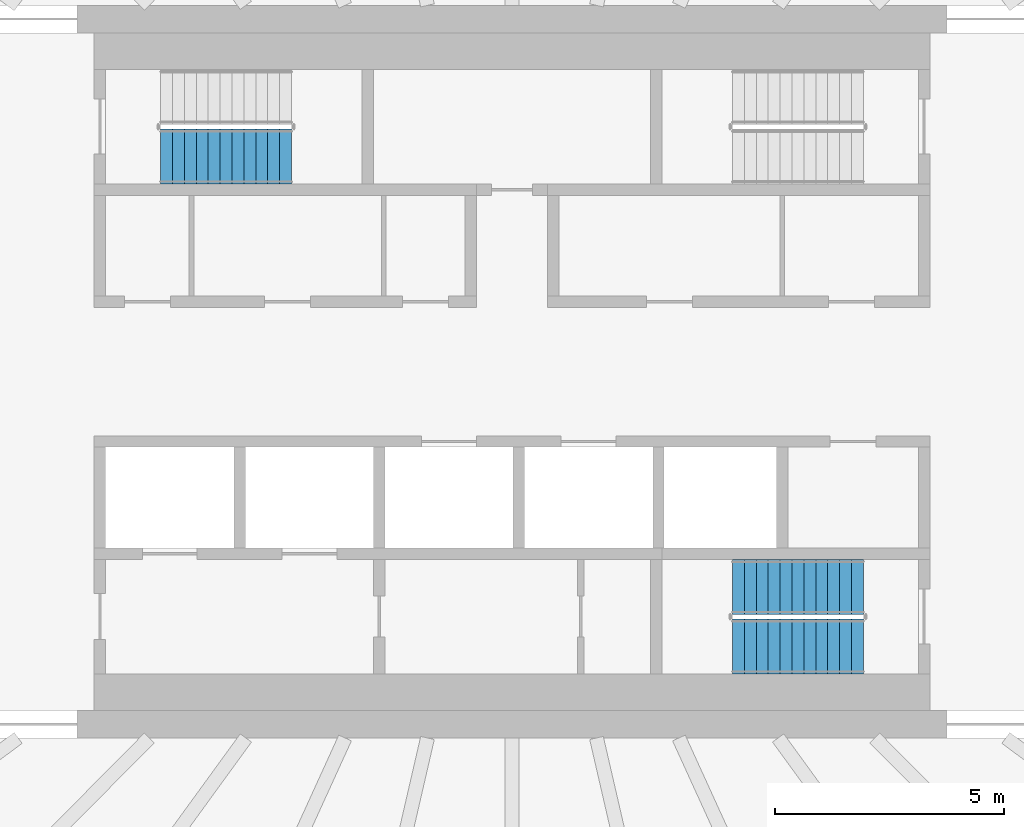
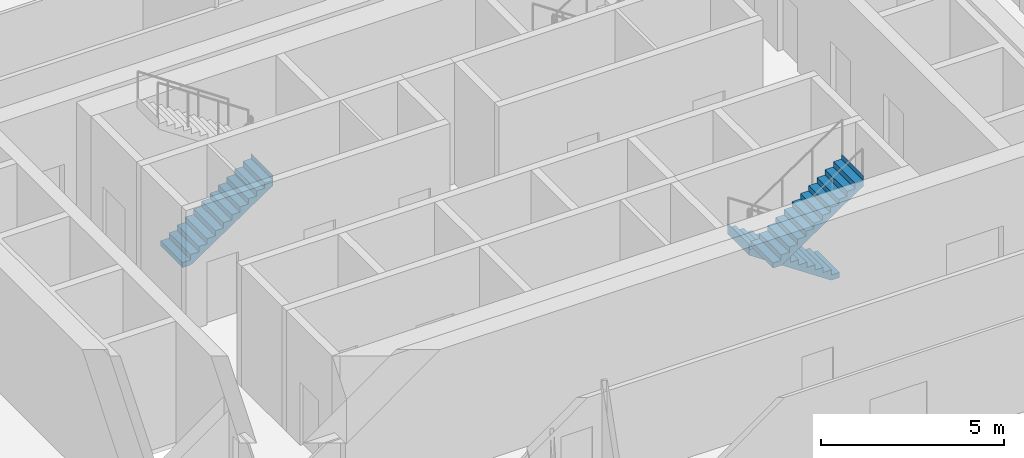
# One storey, part 18 of 25: 3 stair flights, 2 elements without a shape of their own.
"""IFC4 building model written with IfcOpenShell, lengths in metres."""

from ifc_helpers import new_model, si_unit, direction, frame, origin, place, context, subcontext, project, spatial, triangles, material, type_object, element, aggregate, save


model = new_model("IFC4")

# Units and contexts
model_context = context("Model", 3, precision=1e-05, world=origin(), true_north=direction((0.0, 1.0)))
body_context = subcontext(model_context, "Body", "Model", "MODEL_VIEW")
ifc_project = project(units=[si_unit("LENGTHUNIT", "METRE"), si_unit("AREAUNIT", "SQUARE_METRE"), si_unit("VOLUMEUNIT", "CUBIC_METRE"), si_unit("PLANEANGLEUNIT", "RADIAN"), si_unit("MASSUNIT", "GRAM", prefix="KILO")], contexts=[model_context])

# Site, building, storey
site_placement = place(None, origin())
site = spatial("IfcSite", under=ifc_project, at=site_placement, CompositionType="ELEMENT")
building_placement = place(site_placement, origin())
building = spatial("IfcBuilding", under=site, at=building_placement, Name="Sahrelin Media Tower", CompositionType="ELEMENT")
storey_placement = place(building_placement, frame((0.0, 0.0, 114.60009765625)))
storey = spatial("IfcBuildingStorey", under=building, at=storey_placement, Name="L22", CompositionType="ELEMENT", Elevation=114.60009765625)

# Stair, stair flight
ifc_material = material(Name="Concrete C40/50", Category="concrete")
stair_type = type_object("IfcStairType", Name="Exit stair 1200", PredefinedType="HALF_TURN_STAIR", material=ifc_material)
placement = place(storey_placement, origin())
stair_1 = element("IfcStair", 1, at=placement, inside=storey, type_object=stair_type, Name="L22 Exit stair ST1", PredefinedType="HALF_TURN_STAIR")
stair_flight_type = type_object("IfcStairFlightType", Name="Stair flight 1200", PredefinedType="STRAIGHT", material=ifc_material)
stair_flight_1_placement = place(storey_placement, frame((-7.675048828125, 4.699951171875, 0.0), z_axis=(0.0, 0.0, 1.0), x_axis=(1.0, 0.0, 0.0)))
stair_flight_1 = element("IfcStairFlight", 2, at=stair_flight_1_placement, type_object=stair_flight_type, Name="ST1 flight 1", NumberOfRisers=12, NumberOfTreads=11, PredefinedType="STRAIGHT", RiserHeight=0.175, TreadLength=0.26, context=body_context, shape_type="Tessellation", body=[
    triangles([(0.2685546875, 0.60009765625, 0.0), (0.2685546875, 0.300048828125, 0.0), (0.2685546875, 0.0, 0.0), (0.2685546875, -0.300048828125, 0.0), (0.2685546875, -0.60009765625, 0.0), (2.860107421875, 0.60009765625, 1.744384765625), (2.860107421875, 0.300048828125, 1.744384765625), (2.860107421875, 0.0, 1.744384765625), (2.860107421875, -0.300048828125, 1.744384765625), (2.860107421875, -0.60009765625, 1.744384765625), (2.860107421875, 0.60009765625, 2.10009765625), (2.860107421875, 0.300048828125, 2.10009765625), (2.860107421875, 0.0, 2.10009765625), (2.860107421875, -0.300048828125, 2.10009765625), (2.860107421875, -0.60009765625, 2.10009765625), (2.85791015625, 0.60009765625, 2.10009765625), (2.85791015625, 0.300048828125, 2.10009765625), (2.85791015625, 0.0, 2.10009765625), (2.85791015625, -0.300048828125, 2.10009765625), (2.85791015625, -0.60009765625, 2.10009765625), (2.85791015625, 0.60009765625, 1.925048828125), (2.85791015625, 0.300048828125, 1.925048828125), (2.85791015625, 0.0, 1.925048828125), (2.85791015625, -0.300048828125, 1.925048828125), (2.85791015625, -0.60009765625, 1.925048828125), (2.60009765625, 0.60009765625, 1.925048828125), (2.60009765625, 0.300048828125, 1.925048828125), (2.60009765625, 0.0, 1.925048828125), (2.60009765625, -0.300048828125, 1.925048828125), (2.60009765625, -0.60009765625, 1.925048828125), (2.60009765625, 0.60009765625, 1.75), (2.60009765625, 0.300048828125, 1.75), (2.60009765625, 0.0, 1.75), (2.60009765625, -0.300048828125, 1.75), (2.60009765625, -0.60009765625, 1.75), (2.340087890625, 0.60009765625, 1.75), (2.340087890625, 0.300048828125, 1.75), (2.340087890625, 0.0, 1.75), (2.340087890625, -0.300048828125, 1.75), (2.340087890625, -0.60009765625, 1.75), (2.340087890625, 0.60009765625, 1.574951171875), (2.340087890625, 0.300048828125, 1.574951171875), (2.340087890625, 0.0, 1.574951171875), (2.340087890625, -0.300048828125, 1.574951171875), (2.340087890625, -0.60009765625, 1.574951171875), (2.080078125, 0.60009765625, 1.574951171875), (2.080078125, 0.300048828125, 1.574951171875), (2.080078125, 0.0, 1.574951171875), (2.080078125, -0.300048828125, 1.574951171875), (2.080078125, -0.60009765625, 1.574951171875), (2.080078125, 0.60009765625, 1.39990234375), (2.080078125, 0.300048828125, 1.39990234375), (2.080078125, 0.0, 1.39990234375), (2.080078125, -0.300048828125, 1.39990234375), (2.080078125, -0.60009765625, 1.39990234375), (1.820068359375, 0.60009765625, 1.39990234375), (1.820068359375, 0.300048828125, 1.39990234375), (1.820068359375, 0.0, 1.39990234375), (1.820068359375, -0.300048828125, 1.39990234375), (1.820068359375, -0.60009765625, 1.39990234375), (1.820068359375, 0.60009765625, 1.22509765625), (1.820068359375, 0.300048828125, 1.22509765625), (1.820068359375, 0.0, 1.22509765625), (1.820068359375, -0.300048828125, 1.22509765625), (1.820068359375, -0.60009765625, 1.22509765625), (1.56005859375, 0.60009765625, 1.22509765625), (1.56005859375, 0.300048828125, 1.22509765625), (1.56005859375, 0.0, 1.22509765625), (1.56005859375, -0.300048828125, 1.22509765625), (1.56005859375, -0.60009765625, 1.22509765625), (1.56005859375, 0.60009765625, 1.050048828125), (1.56005859375, 0.300048828125, 1.050048828125), (1.56005859375, 0.0, 1.050048828125), (1.56005859375, -0.300048828125, 1.050048828125), (1.56005859375, -0.60009765625, 1.050048828125), (1.300048828125, 0.60009765625, 1.050048828125), (1.300048828125, 0.300048828125, 1.050048828125), (1.300048828125, 0.0, 1.050048828125), (1.300048828125, -0.300048828125, 1.050048828125), (1.300048828125, -0.60009765625, 1.050048828125), (1.300048828125, 0.60009765625, 0.875), (1.300048828125, 0.300048828125, 0.875), (1.300048828125, 0.0, 0.875), (1.300048828125, -0.300048828125, 0.875), (1.300048828125, -0.60009765625, 0.875), (1.0400390625, 0.60009765625, 0.875), (1.0400390625, 0.300048828125, 0.875), (1.0400390625, 0.0, 0.875), (1.0400390625, -0.300048828125, 0.875), (1.0400390625, -0.60009765625, 0.875), (1.0400390625, 0.60009765625, 0.699951171875), (1.0400390625, 0.300048828125, 0.699951171875), (1.0400390625, 0.0, 0.699951171875), (1.0400390625, -0.300048828125, 0.699951171875), (1.0400390625, -0.60009765625, 0.699951171875), (0.780029296875, 0.60009765625, 0.699951171875), (0.780029296875, 0.300048828125, 0.699951171875), (0.780029296875, 0.0, 0.699951171875), (0.780029296875, -0.300048828125, 0.699951171875), (0.780029296875, -0.60009765625, 0.699951171875), (0.780029296875, 0.60009765625, 0.52490234375), (0.780029296875, 0.300048828125, 0.52490234375), (0.780029296875, 0.0, 0.52490234375), (0.780029296875, -0.300048828125, 0.52490234375), (0.780029296875, -0.60009765625, 0.52490234375), (0.52001953125, 0.60009765625, 0.52490234375), (0.52001953125, 0.300048828125, 0.52490234375), (0.52001953125, 0.0, 0.52490234375), (0.52001953125, -0.300048828125, 0.52490234375), (0.52001953125, -0.60009765625, 0.52490234375), (0.52001953125, 0.60009765625, 0.35009765625), (0.52001953125, 0.300048828125, 0.35009765625), (0.52001953125, 0.0, 0.35009765625), (0.52001953125, -0.300048828125, 0.35009765625), (0.52001953125, -0.60009765625, 0.35009765625), (0.260009765625, 0.60009765625, 0.35009765625), (0.260009765625, 0.300048828125, 0.35009765625), (0.260009765625, 0.0, 0.35009765625), (0.260009765625, -0.300048828125, 0.35009765625), (0.260009765625, -0.60009765625, 0.35009765625), (0.260009765625, 0.60009765625, 0.175048828125), (0.260009765625, 0.300048828125, 0.175048828125), (0.260009765625, 0.0, 0.175048828125), (0.260009765625, -0.300048828125, 0.175048828125), (0.260009765625, -0.60009765625, 0.175048828125), (0.0, 0.60009765625, 0.175048828125), (0.0, 0.300048828125, 0.175048828125), (0.0, 0.0, 0.175048828125), (0.0, -0.300048828125, 0.175048828125), (0.0, -0.60009765625, 0.175048828125), (0.0, 0.60009765625, 0.0), (0.0, 0.300048828125, 0.0), (0.0, 0.0, 0.0), (0.0, -0.300048828125, 0.0), (0.0, -0.60009765625, 0.0)], [[1, 6, 7], [1, 7, 2], [2, 7, 8], [2, 8, 3], [3, 8, 9], [3, 9, 4], [4, 9, 10], [4, 10, 5], [6, 11, 12], [6, 12, 7], [7, 12, 13], [7, 13, 8], [8, 13, 14], [8, 14, 9], [9, 14, 15], [9, 15, 10], [11, 16, 17], [11, 17, 12], [12, 17, 18], [12, 18, 13], [13, 18, 19], [13, 19, 14], [14, 19, 20], [14, 20, 15], [16, 21, 22], [16, 22, 17], [17, 22, 23], [17, 23, 18], [18, 23, 24], [18, 24, 19], [19, 24, 25], [19, 25, 20], [21, 26, 27], [21, 27, 22], [22, 27, 28], [22, 28, 23], [23, 28, 29], [23, 29, 24], [24, 29, 30], [24, 30, 25], [26, 31, 32], [26, 32, 27], [27, 32, 33], [27, 33, 28], [28, 33, 34], [28, 34, 29], [29, 34, 35], [29, 35, 30], [31, 36, 37], [31, 37, 32], [32, 37, 38], [32, 38, 33], [33, 38, 39], [33, 39, 34], [34, 39, 40], [34, 40, 35], [36, 41, 42], [36, 42, 37], [37, 42, 43], [37, 43, 38], [38, 43, 44], [38, 44, 39], [39, 44, 45], [39, 45, 40], [41, 46, 47], [41, 47, 42], [42, 47, 48], [42, 48, 43], [43, 48, 49], [43, 49, 44], [44, 49, 50], [44, 50, 45], [46, 51, 52], [46, 52, 47], [47, 52, 53], [47, 53, 48], [48, 53, 54], [48, 54, 49], [49, 54, 55], [49, 55, 50], [51, 56, 57], [51, 57, 52], [52, 57, 58], [52, 58, 53], [53, 58, 59], [53, 59, 54], [54, 59, 60], [54, 60, 55], [56, 61, 62], [56, 62, 57], [57, 62, 63], [57, 63, 58], [58, 63, 64], [58, 64, 59], [59, 64, 65], [59, 65, 60], [61, 66, 67], [61, 67, 62], [62, 67, 68], [62, 68, 63], [63, 68, 69], [63, 69, 64], [64, 69, 70], [64, 70, 65], [66, 71, 72], [66, 72, 67], [67, 72, 73], [67, 73, 68], [68, 73, 74], [68, 74, 69], [69, 74, 75], [69, 75, 70], [71, 76, 77], [71, 77, 72], [72, 77, 78], [72, 78, 73], [73, 78, 79], [73, 79, 74], [74, 79, 80], [74, 80, 75], [76, 81, 82], [76, 82, 77], [77, 82, 83], [77, 83, 78], [78, 83, 84], [78, 84, 79], [79, 84, 85], [79, 85, 80], [81, 86, 87], [81, 87, 82], [82, 87, 88], [82, 88, 83], [83, 88, 89], [83, 89, 84], [84, 89, 90], [84, 90, 85], [86, 91, 92], [86, 92, 87], [87, 92, 93], [87, 93, 88], [88, 93, 94], [88, 94, 89], [89, 94, 95], [89, 95, 90], [91, 96, 97], [91, 97, 92], [92, 97, 98], [92, 98, 93], [93, 98, 99], [93, 99, 94], [94, 99, 100], [94, 100, 95], [96, 101, 102], [96, 102, 97], [97, 102, 103], [97, 103, 98], [98, 103, 104], [98, 104, 99], [99, 104, 105], [99, 105, 100], [101, 106, 107], [101, 107, 102], [102, 107, 108], [102, 108, 103], [103, 108, 109], [103, 109, 104], [104, 109, 110], [104, 110, 105], [106, 111, 112], [106, 112, 107], [107, 112, 113], [107, 113, 108], [108, 113, 114], [108, 114, 109], [109, 114, 115], [109, 115, 110], [111, 116, 117], [111, 117, 112], [112, 117, 118], [112, 118, 113], [113, 118, 119], [113, 119, 114], [114, 119, 120], [114, 120, 115], [116, 121, 122], [116, 122, 117], [117, 122, 123], [117, 123, 118], [118, 123, 124], [118, 124, 119], [119, 124, 125], [119, 125, 120], [121, 126, 127], [121, 127, 122], [122, 127, 128], [122, 128, 123], [123, 128, 129], [123, 129, 124], [124, 129, 130], [124, 130, 125], [126, 131, 132], [126, 132, 127], [127, 132, 133], [127, 133, 128], [128, 133, 134], [128, 134, 129], [129, 134, 135], [129, 135, 130], [131, 1, 2], [131, 2, 132], [132, 2, 3], [132, 3, 133], [133, 3, 4], [133, 4, 134], [134, 4, 5], [134, 5, 135], [125, 130, 135], [121, 131, 126], [125, 115, 120], [121, 116, 111], [115, 105, 110], [111, 106, 101], [105, 95, 100], [101, 96, 91], [95, 85, 90], [91, 86, 81], [85, 75, 80], [81, 76, 71], [75, 65, 70], [71, 66, 61], [65, 55, 60], [61, 56, 51], [55, 45, 50], [51, 46, 41], [45, 35, 40], [41, 36, 31], [35, 25, 30], [31, 26, 21], [25, 15, 20], [21, 16, 11], [135, 5, 125], [131, 121, 1], [95, 105, 5], [91, 1, 101], [5, 10, 75], [1, 71, 6], [10, 35, 45], [6, 41, 31], [25, 10, 15], [21, 11, 6], [115, 125, 5], [111, 1, 121], [75, 85, 5], [71, 1, 81], [35, 10, 25], [31, 21, 6], [105, 115, 5], [101, 1, 111], [45, 55, 10], [41, 6, 51], [85, 95, 5], [81, 1, 91], [65, 10, 55], [61, 51, 6], [10, 65, 75], [6, 71, 61]], closed=True),
])
aggregate(stair_1, [stair_flight_1])

# Stair, stair flights
stair_2 = element("IfcStair", 3, at=placement, inside=storey, type_object=stair_type, Name="L22 Exit stair ST2", PredefinedType="HALF_TURN_STAIR")
stair_flight_2_placement = place(storey_placement, frame((7.675048828125, -4.699951171875, 0.0), z_axis=(0.0, 0.0, 1.0), x_axis=(-1.0, 0.0, 0.0)))
stair_flight_2 = element("IfcStairFlight", 4, at=stair_flight_2_placement, type_object=stair_flight_type, Name="ST2 flight 1", NumberOfRisers=12, NumberOfTreads=11, PredefinedType="STRAIGHT", RiserHeight=0.175, TreadLength=0.26, context=body_context, shape_type="Tessellation", body=[
    triangles([(0.2685546875, 0.60009765625, 0.0), (0.2685546875, 0.300048828125, 0.0), (0.2685546875, 0.0, 0.0), (0.2685546875, -0.300048828125, 0.0), (0.2685546875, -0.60009765625, 0.0), (2.860107421875, 0.60009765625, 1.744384765625), (2.860107421875, 0.300048828125, 1.744384765625), (2.860107421875, 0.0, 1.744384765625), (2.860107421875, -0.300048828125, 1.744384765625), (2.860107421875, -0.60009765625, 1.744384765625), (2.860107421875, 0.60009765625, 2.10009765625), (2.860107421875, 0.300048828125, 2.10009765625), (2.860107421875, 0.0, 2.10009765625), (2.860107421875, -0.300048828125, 2.10009765625), (2.860107421875, -0.60009765625, 2.10009765625), (2.85791015625, 0.60009765625, 2.10009765625), (2.85791015625, 0.300048828125, 2.10009765625), (2.85791015625, 0.0, 2.10009765625), (2.85791015625, -0.300048828125, 2.10009765625), (2.85791015625, -0.60009765625, 2.10009765625), (2.85791015625, 0.60009765625, 1.925048828125), (2.85791015625, 0.300048828125, 1.925048828125), (2.85791015625, 0.0, 1.925048828125), (2.85791015625, -0.300048828125, 1.925048828125), (2.85791015625, -0.60009765625, 1.925048828125), (2.60009765625, 0.60009765625, 1.925048828125), (2.60009765625, 0.300048828125, 1.925048828125), (2.60009765625, 0.0, 1.925048828125), (2.60009765625, -0.300048828125, 1.925048828125), (2.60009765625, -0.60009765625, 1.925048828125), (2.60009765625, 0.60009765625, 1.75), (2.60009765625, 0.300048828125, 1.75), (2.60009765625, 0.0, 1.75), (2.60009765625, -0.300048828125, 1.75), (2.60009765625, -0.60009765625, 1.75), (2.340087890625, 0.60009765625, 1.75), (2.340087890625, 0.300048828125, 1.75), (2.340087890625, 0.0, 1.75), (2.340087890625, -0.300048828125, 1.75), (2.340087890625, -0.60009765625, 1.75), (2.340087890625, 0.60009765625, 1.574951171875), (2.340087890625, 0.300048828125, 1.574951171875), (2.340087890625, 0.0, 1.574951171875), (2.340087890625, -0.300048828125, 1.574951171875), (2.340087890625, -0.60009765625, 1.574951171875), (2.080078125, 0.60009765625, 1.574951171875), (2.080078125, 0.300048828125, 1.574951171875), (2.080078125, 0.0, 1.574951171875), (2.080078125, -0.300048828125, 1.574951171875), (2.080078125, -0.60009765625, 1.574951171875), (2.080078125, 0.60009765625, 1.39990234375), (2.080078125, 0.300048828125, 1.39990234375), (2.080078125, 0.0, 1.39990234375), (2.080078125, -0.300048828125, 1.39990234375), (2.080078125, -0.60009765625, 1.39990234375), (1.820068359375, 0.60009765625, 1.39990234375), (1.820068359375, 0.300048828125, 1.39990234375), (1.820068359375, 0.0, 1.39990234375), (1.820068359375, -0.300048828125, 1.39990234375), (1.820068359375, -0.60009765625, 1.39990234375), (1.820068359375, 0.60009765625, 1.22509765625), (1.820068359375, 0.300048828125, 1.22509765625), (1.820068359375, 0.0, 1.22509765625), (1.820068359375, -0.300048828125, 1.22509765625), (1.820068359375, -0.60009765625, 1.22509765625), (1.56005859375, 0.60009765625, 1.22509765625), (1.56005859375, 0.300048828125, 1.22509765625), (1.56005859375, 0.0, 1.22509765625), (1.56005859375, -0.300048828125, 1.22509765625), (1.56005859375, -0.60009765625, 1.22509765625), (1.56005859375, 0.60009765625, 1.050048828125), (1.56005859375, 0.300048828125, 1.050048828125), (1.56005859375, 0.0, 1.050048828125), (1.56005859375, -0.300048828125, 1.050048828125), (1.56005859375, -0.60009765625, 1.050048828125), (1.300048828125, 0.60009765625, 1.050048828125), (1.300048828125, 0.300048828125, 1.050048828125), (1.300048828125, 0.0, 1.050048828125), (1.300048828125, -0.300048828125, 1.050048828125), (1.300048828125, -0.60009765625, 1.050048828125), (1.300048828125, 0.60009765625, 0.875), (1.300048828125, 0.300048828125, 0.875), (1.300048828125, 0.0, 0.875), (1.300048828125, -0.300048828125, 0.875), (1.300048828125, -0.60009765625, 0.875), (1.0400390625, 0.60009765625, 0.875), (1.0400390625, 0.300048828125, 0.875), (1.0400390625, 0.0, 0.875), (1.0400390625, -0.300048828125, 0.875), (1.0400390625, -0.60009765625, 0.875), (1.0400390625, 0.60009765625, 0.699951171875), (1.0400390625, 0.300048828125, 0.699951171875), (1.0400390625, 0.0, 0.699951171875), (1.0400390625, -0.300048828125, 0.699951171875), (1.0400390625, -0.60009765625, 0.699951171875), (0.780029296875, 0.60009765625, 0.699951171875), (0.780029296875, 0.300048828125, 0.699951171875), (0.780029296875, 0.0, 0.699951171875), (0.780029296875, -0.300048828125, 0.699951171875), (0.780029296875, -0.60009765625, 0.699951171875), (0.780029296875, 0.60009765625, 0.52490234375), (0.780029296875, 0.300048828125, 0.52490234375), (0.780029296875, 0.0, 0.52490234375), (0.780029296875, -0.300048828125, 0.52490234375), (0.780029296875, -0.60009765625, 0.52490234375), (0.52001953125, 0.60009765625, 0.52490234375), (0.52001953125, 0.300048828125, 0.52490234375), (0.52001953125, 0.0, 0.52490234375), (0.52001953125, -0.300048828125, 0.52490234375), (0.52001953125, -0.60009765625, 0.52490234375), (0.52001953125, 0.60009765625, 0.35009765625), (0.52001953125, 0.300048828125, 0.35009765625), (0.52001953125, 0.0, 0.35009765625), (0.52001953125, -0.300048828125, 0.35009765625), (0.52001953125, -0.60009765625, 0.35009765625), (0.260009765625, 0.60009765625, 0.35009765625), (0.260009765625, 0.300048828125, 0.35009765625), (0.260009765625, 0.0, 0.35009765625), (0.260009765625, -0.300048828125, 0.35009765625), (0.260009765625, -0.60009765625, 0.35009765625), (0.260009765625, 0.60009765625, 0.175048828125), (0.260009765625, 0.300048828125, 0.175048828125), (0.260009765625, 0.0, 0.175048828125), (0.260009765625, -0.300048828125, 0.175048828125), (0.260009765625, -0.60009765625, 0.175048828125), (0.0, 0.60009765625, 0.175048828125), (0.0, 0.300048828125, 0.175048828125), (0.0, 0.0, 0.175048828125), (0.0, -0.300048828125, 0.175048828125), (0.0, -0.60009765625, 0.175048828125), (0.0, 0.60009765625, 0.0), (0.0, 0.300048828125, 0.0), (0.0, 0.0, 0.0), (0.0, -0.300048828125, 0.0), (0.0, -0.60009765625, 0.0)], [[1, 6, 7], [1, 7, 2], [2, 7, 8], [2, 8, 3], [3, 8, 9], [3, 9, 4], [4, 9, 10], [4, 10, 5], [6, 11, 12], [6, 12, 7], [7, 12, 13], [7, 13, 8], [8, 13, 14], [8, 14, 9], [9, 14, 15], [9, 15, 10], [11, 16, 17], [11, 17, 12], [12, 17, 18], [12, 18, 13], [13, 18, 19], [13, 19, 14], [14, 19, 20], [14, 20, 15], [16, 21, 22], [16, 22, 17], [17, 22, 23], [17, 23, 18], [18, 23, 24], [18, 24, 19], [19, 24, 25], [19, 25, 20], [21, 26, 27], [21, 27, 22], [22, 27, 28], [22, 28, 23], [23, 28, 29], [23, 29, 24], [24, 29, 30], [24, 30, 25], [26, 31, 32], [26, 32, 27], [27, 32, 33], [27, 33, 28], [28, 33, 34], [28, 34, 29], [29, 34, 35], [29, 35, 30], [31, 36, 37], [31, 37, 32], [32, 37, 38], [32, 38, 33], [33, 38, 39], [33, 39, 34], [34, 39, 40], [34, 40, 35], [36, 41, 42], [36, 42, 37], [37, 42, 43], [37, 43, 38], [38, 43, 44], [38, 44, 39], [39, 44, 45], [39, 45, 40], [41, 46, 47], [41, 47, 42], [42, 47, 48], [42, 48, 43], [43, 48, 49], [43, 49, 44], [44, 49, 50], [44, 50, 45], [46, 51, 52], [46, 52, 47], [47, 52, 53], [47, 53, 48], [48, 53, 54], [48, 54, 49], [49, 54, 55], [49, 55, 50], [51, 56, 57], [51, 57, 52], [52, 57, 58], [52, 58, 53], [53, 58, 59], [53, 59, 54], [54, 59, 60], [54, 60, 55], [56, 61, 62], [56, 62, 57], [57, 62, 63], [57, 63, 58], [58, 63, 64], [58, 64, 59], [59, 64, 65], [59, 65, 60], [61, 66, 67], [61, 67, 62], [62, 67, 68], [62, 68, 63], [63, 68, 69], [63, 69, 64], [64, 69, 70], [64, 70, 65], [66, 71, 72], [66, 72, 67], [67, 72, 73], [67, 73, 68], [68, 73, 74], [68, 74, 69], [69, 74, 75], [69, 75, 70], [71, 76, 77], [71, 77, 72], [72, 77, 78], [72, 78, 73], [73, 78, 79], [73, 79, 74], [74, 79, 80], [74, 80, 75], [76, 81, 82], [76, 82, 77], [77, 82, 83], [77, 83, 78], [78, 83, 84], [78, 84, 79], [79, 84, 85], [79, 85, 80], [81, 86, 87], [81, 87, 82], [82, 87, 88], [82, 88, 83], [83, 88, 89], [83, 89, 84], [84, 89, 90], [84, 90, 85], [86, 91, 92], [86, 92, 87], [87, 92, 93], [87, 93, 88], [88, 93, 94], [88, 94, 89], [89, 94, 95], [89, 95, 90], [91, 96, 97], [91, 97, 92], [92, 97, 98], [92, 98, 93], [93, 98, 99], [93, 99, 94], [94, 99, 100], [94, 100, 95], [96, 101, 102], [96, 102, 97], [97, 102, 103], [97, 103, 98], [98, 103, 104], [98, 104, 99], [99, 104, 105], [99, 105, 100], [101, 106, 107], [101, 107, 102], [102, 107, 108], [102, 108, 103], [103, 108, 109], [103, 109, 104], [104, 109, 110], [104, 110, 105], [106, 111, 112], [106, 112, 107], [107, 112, 113], [107, 113, 108], [108, 113, 114], [108, 114, 109], [109, 114, 115], [109, 115, 110], [111, 116, 117], [111, 117, 112], [112, 117, 118], [112, 118, 113], [113, 118, 119], [113, 119, 114], [114, 119, 120], [114, 120, 115], [116, 121, 122], [116, 122, 117], [117, 122, 123], [117, 123, 118], [118, 123, 124], [118, 124, 119], [119, 124, 125], [119, 125, 120], [121, 126, 127], [121, 127, 122], [122, 127, 128], [122, 128, 123], [123, 128, 129], [123, 129, 124], [124, 129, 130], [124, 130, 125], [126, 131, 132], [126, 132, 127], [127, 132, 133], [127, 133, 128], [128, 133, 134], [128, 134, 129], [129, 134, 135], [129, 135, 130], [131, 1, 2], [131, 2, 132], [132, 2, 3], [132, 3, 133], [133, 3, 4], [133, 4, 134], [134, 4, 5], [134, 5, 135], [125, 130, 135], [121, 131, 126], [125, 115, 120], [121, 116, 111], [115, 105, 110], [111, 106, 101], [105, 95, 100], [101, 96, 91], [95, 85, 90], [91, 86, 81], [85, 75, 80], [81, 76, 71], [75, 65, 70], [71, 66, 61], [65, 55, 60], [61, 56, 51], [55, 45, 50], [51, 46, 41], [45, 35, 40], [41, 36, 31], [35, 25, 30], [31, 26, 21], [25, 15, 20], [21, 16, 11], [135, 5, 125], [131, 121, 1], [95, 105, 5], [91, 1, 101], [5, 10, 75], [1, 71, 6], [10, 35, 45], [6, 41, 31], [25, 10, 15], [21, 11, 6], [115, 125, 5], [111, 1, 121], [75, 85, 5], [71, 1, 81], [35, 10, 25], [31, 21, 6], [105, 115, 5], [101, 1, 111], [45, 55, 10], [41, 6, 51], [85, 95, 5], [81, 1, 91], [65, 10, 55], [61, 51, 6], [10, 65, 75], [6, 71, 61]], closed=True),
])
stair_flight_3_placement = place(storey_placement, frame((4.81494140625, -6.0, 2.099853515625), z_axis=(0.0, 0.0, 1.0), x_axis=(1.0, 0.0, 0.0)))
stair_flight_3 = element("IfcStairFlight", 5, at=stair_flight_3_placement, type_object=stair_flight_type, Name="ST2 flight 2", NumberOfRisers=12, NumberOfTreads=11, PredefinedType="STRAIGHT", RiserHeight=0.175, TreadLength=0.26, context=body_context, shape_type="Tessellation", body=[
    triangles([(0.2685546875, 0.60009765625, 0.0), (0.2685546875, 0.300048828125, 0.0), (0.2685546875, 0.0, 0.0), (0.2685546875, -0.300048828125, 0.0), (0.2685546875, -0.60009765625, 0.0), (2.860107421875, 0.60009765625, 1.744384765625), (2.860107421875, 0.300048828125, 1.744384765625), (2.860107421875, 0.0, 1.744384765625), (2.860107421875, -0.300048828125, 1.744384765625), (2.860107421875, -0.60009765625, 1.744384765625), (2.860107421875, 0.60009765625, 2.10009765625), (2.860107421875, 0.300048828125, 2.10009765625), (2.860107421875, 0.0, 2.10009765625), (2.860107421875, -0.300048828125, 2.10009765625), (2.860107421875, -0.60009765625, 2.10009765625), (2.85791015625, 0.60009765625, 2.10009765625), (2.85791015625, 0.300048828125, 2.10009765625), (2.85791015625, 0.0, 2.10009765625), (2.85791015625, -0.300048828125, 2.10009765625), (2.85791015625, -0.60009765625, 2.10009765625), (2.85791015625, 0.60009765625, 1.925048828125), (2.85791015625, 0.300048828125, 1.925048828125), (2.85791015625, 0.0, 1.925048828125), (2.85791015625, -0.300048828125, 1.925048828125), (2.85791015625, -0.60009765625, 1.925048828125), (2.60009765625, 0.60009765625, 1.925048828125), (2.60009765625, 0.300048828125, 1.925048828125), (2.60009765625, 0.0, 1.925048828125), (2.60009765625, -0.300048828125, 1.925048828125), (2.60009765625, -0.60009765625, 1.925048828125), (2.60009765625, 0.60009765625, 1.75), (2.60009765625, 0.300048828125, 1.75), (2.60009765625, 0.0, 1.75), (2.60009765625, -0.300048828125, 1.75), (2.60009765625, -0.60009765625, 1.75), (2.340087890625, 0.60009765625, 1.75), (2.340087890625, 0.300048828125, 1.75), (2.340087890625, 0.0, 1.75), (2.340087890625, -0.300048828125, 1.75), (2.340087890625, -0.60009765625, 1.75), (2.340087890625, 0.60009765625, 1.574951171875), (2.340087890625, 0.300048828125, 1.574951171875), (2.340087890625, 0.0, 1.574951171875), (2.340087890625, -0.300048828125, 1.574951171875), (2.340087890625, -0.60009765625, 1.574951171875), (2.080078125, 0.60009765625, 1.574951171875), (2.080078125, 0.300048828125, 1.574951171875), (2.080078125, 0.0, 1.574951171875), (2.080078125, -0.300048828125, 1.574951171875), (2.080078125, -0.60009765625, 1.574951171875), (2.080078125, 0.60009765625, 1.39990234375), (2.080078125, 0.300048828125, 1.39990234375), (2.080078125, 0.0, 1.39990234375), (2.080078125, -0.300048828125, 1.39990234375), (2.080078125, -0.60009765625, 1.39990234375), (1.820068359375, 0.60009765625, 1.39990234375), (1.820068359375, 0.300048828125, 1.39990234375), (1.820068359375, 0.0, 1.39990234375), (1.820068359375, -0.300048828125, 1.39990234375), (1.820068359375, -0.60009765625, 1.39990234375), (1.820068359375, 0.60009765625, 1.22509765625), (1.820068359375, 0.300048828125, 1.22509765625), (1.820068359375, 0.0, 1.22509765625), (1.820068359375, -0.300048828125, 1.22509765625), (1.820068359375, -0.60009765625, 1.22509765625), (1.56005859375, 0.60009765625, 1.22509765625), (1.56005859375, 0.300048828125, 1.22509765625), (1.56005859375, 0.0, 1.22509765625), (1.56005859375, -0.300048828125, 1.22509765625), (1.56005859375, -0.60009765625, 1.22509765625), (1.56005859375, 0.60009765625, 1.050048828125), (1.56005859375, 0.300048828125, 1.050048828125), (1.56005859375, 0.0, 1.050048828125), (1.56005859375, -0.300048828125, 1.050048828125), (1.56005859375, -0.60009765625, 1.050048828125), (1.300048828125, 0.60009765625, 1.050048828125), (1.300048828125, 0.300048828125, 1.050048828125), (1.300048828125, 0.0, 1.050048828125), (1.300048828125, -0.300048828125, 1.050048828125), (1.300048828125, -0.60009765625, 1.050048828125), (1.300048828125, 0.60009765625, 0.875), (1.300048828125, 0.300048828125, 0.875), (1.300048828125, 0.0, 0.875), (1.300048828125, -0.300048828125, 0.875), (1.300048828125, -0.60009765625, 0.875), (1.0400390625, 0.60009765625, 0.875), (1.0400390625, 0.300048828125, 0.875), (1.0400390625, 0.0, 0.875), (1.0400390625, -0.300048828125, 0.875), (1.0400390625, -0.60009765625, 0.875), (1.0400390625, 0.60009765625, 0.699951171875), (1.0400390625, 0.300048828125, 0.699951171875), (1.0400390625, 0.0, 0.699951171875), (1.0400390625, -0.300048828125, 0.699951171875), (1.0400390625, -0.60009765625, 0.699951171875), (0.780029296875, 0.60009765625, 0.699951171875), (0.780029296875, 0.300048828125, 0.699951171875), (0.780029296875, 0.0, 0.699951171875), (0.780029296875, -0.300048828125, 0.699951171875), (0.780029296875, -0.60009765625, 0.699951171875), (0.780029296875, 0.60009765625, 0.52490234375), (0.780029296875, 0.300048828125, 0.52490234375), (0.780029296875, 0.0, 0.52490234375), (0.780029296875, -0.300048828125, 0.52490234375), (0.780029296875, -0.60009765625, 0.52490234375), (0.52001953125, 0.60009765625, 0.52490234375), (0.52001953125, 0.300048828125, 0.52490234375), (0.52001953125, 0.0, 0.52490234375), (0.52001953125, -0.300048828125, 0.52490234375), (0.52001953125, -0.60009765625, 0.52490234375), (0.52001953125, 0.60009765625, 0.35009765625), (0.52001953125, 0.300048828125, 0.35009765625), (0.52001953125, 0.0, 0.35009765625), (0.52001953125, -0.300048828125, 0.35009765625), (0.52001953125, -0.60009765625, 0.35009765625), (0.260009765625, 0.60009765625, 0.35009765625), (0.260009765625, 0.300048828125, 0.35009765625), (0.260009765625, 0.0, 0.35009765625), (0.260009765625, -0.300048828125, 0.35009765625), (0.260009765625, -0.60009765625, 0.35009765625), (0.260009765625, 0.60009765625, 0.175048828125), (0.260009765625, 0.300048828125, 0.175048828125), (0.260009765625, 0.0, 0.175048828125), (0.260009765625, -0.300048828125, 0.175048828125), (0.260009765625, -0.60009765625, 0.175048828125), (0.0, 0.60009765625, 0.175048828125), (0.0, 0.300048828125, 0.175048828125), (0.0, 0.0, 0.175048828125), (0.0, -0.300048828125, 0.175048828125), (0.0, -0.60009765625, 0.175048828125), (0.0, 0.60009765625, 0.0), (0.0, 0.300048828125, 0.0), (0.0, 0.0, 0.0), (0.0, -0.300048828125, 0.0), (0.0, -0.60009765625, 0.0)], [[1, 6, 7], [1, 7, 2], [2, 7, 8], [2, 8, 3], [3, 8, 9], [3, 9, 4], [4, 9, 10], [4, 10, 5], [6, 11, 12], [6, 12, 7], [7, 12, 13], [7, 13, 8], [8, 13, 14], [8, 14, 9], [9, 14, 15], [9, 15, 10], [11, 16, 17], [11, 17, 12], [12, 17, 18], [12, 18, 13], [13, 18, 19], [13, 19, 14], [14, 19, 20], [14, 20, 15], [16, 21, 22], [16, 22, 17], [17, 22, 23], [17, 23, 18], [18, 23, 24], [18, 24, 19], [19, 24, 25], [19, 25, 20], [21, 26, 27], [21, 27, 22], [22, 27, 28], [22, 28, 23], [23, 28, 29], [23, 29, 24], [24, 29, 30], [24, 30, 25], [26, 31, 32], [26, 32, 27], [27, 32, 33], [27, 33, 28], [28, 33, 34], [28, 34, 29], [29, 34, 35], [29, 35, 30], [31, 36, 37], [31, 37, 32], [32, 37, 38], [32, 38, 33], [33, 38, 39], [33, 39, 34], [34, 39, 40], [34, 40, 35], [36, 41, 42], [36, 42, 37], [37, 42, 43], [37, 43, 38], [38, 43, 44], [38, 44, 39], [39, 44, 45], [39, 45, 40], [41, 46, 47], [41, 47, 42], [42, 47, 48], [42, 48, 43], [43, 48, 49], [43, 49, 44], [44, 49, 50], [44, 50, 45], [46, 51, 52], [46, 52, 47], [47, 52, 53], [47, 53, 48], [48, 53, 54], [48, 54, 49], [49, 54, 55], [49, 55, 50], [51, 56, 57], [51, 57, 52], [52, 57, 58], [52, 58, 53], [53, 58, 59], [53, 59, 54], [54, 59, 60], [54, 60, 55], [56, 61, 62], [56, 62, 57], [57, 62, 63], [57, 63, 58], [58, 63, 64], [58, 64, 59], [59, 64, 65], [59, 65, 60], [61, 66, 67], [61, 67, 62], [62, 67, 68], [62, 68, 63], [63, 68, 69], [63, 69, 64], [64, 69, 70], [64, 70, 65], [66, 71, 72], [66, 72, 67], [67, 72, 73], [67, 73, 68], [68, 73, 74], [68, 74, 69], [69, 74, 75], [69, 75, 70], [71, 76, 77], [71, 77, 72], [72, 77, 78], [72, 78, 73], [73, 78, 79], [73, 79, 74], [74, 79, 80], [74, 80, 75], [76, 81, 82], [76, 82, 77], [77, 82, 83], [77, 83, 78], [78, 83, 84], [78, 84, 79], [79, 84, 85], [79, 85, 80], [81, 86, 87], [81, 87, 82], [82, 87, 88], [82, 88, 83], [83, 88, 89], [83, 89, 84], [84, 89, 90], [84, 90, 85], [86, 91, 92], [86, 92, 87], [87, 92, 93], [87, 93, 88], [88, 93, 94], [88, 94, 89], [89, 94, 95], [89, 95, 90], [91, 96, 97], [91, 97, 92], [92, 97, 98], [92, 98, 93], [93, 98, 99], [93, 99, 94], [94, 99, 100], [94, 100, 95], [96, 101, 102], [96, 102, 97], [97, 102, 103], [97, 103, 98], [98, 103, 104], [98, 104, 99], [99, 104, 105], [99, 105, 100], [101, 106, 107], [101, 107, 102], [102, 107, 108], [102, 108, 103], [103, 108, 109], [103, 109, 104], [104, 109, 110], [104, 110, 105], [106, 111, 112], [106, 112, 107], [107, 112, 113], [107, 113, 108], [108, 113, 114], [108, 114, 109], [109, 114, 115], [109, 115, 110], [111, 116, 117], [111, 117, 112], [112, 117, 118], [112, 118, 113], [113, 118, 119], [113, 119, 114], [114, 119, 120], [114, 120, 115], [116, 121, 122], [116, 122, 117], [117, 122, 123], [117, 123, 118], [118, 123, 124], [118, 124, 119], [119, 124, 125], [119, 125, 120], [121, 126, 127], [121, 127, 122], [122, 127, 128], [122, 128, 123], [123, 128, 129], [123, 129, 124], [124, 129, 130], [124, 130, 125], [126, 131, 132], [126, 132, 127], [127, 132, 133], [127, 133, 128], [128, 133, 134], [128, 134, 129], [129, 134, 135], [129, 135, 130], [131, 1, 2], [131, 2, 132], [132, 2, 3], [132, 3, 133], [133, 3, 4], [133, 4, 134], [134, 4, 5], [134, 5, 135], [125, 130, 135], [121, 131, 126], [125, 115, 120], [121, 116, 111], [115, 105, 110], [111, 106, 101], [105, 95, 100], [101, 96, 91], [95, 85, 90], [91, 86, 81], [85, 75, 80], [81, 76, 71], [75, 65, 70], [71, 66, 61], [65, 55, 60], [61, 56, 51], [55, 45, 50], [51, 46, 41], [45, 35, 40], [41, 36, 31], [35, 25, 30], [31, 26, 21], [25, 15, 20], [21, 16, 11], [135, 5, 125], [131, 121, 1], [95, 105, 5], [91, 1, 101], [5, 10, 75], [1, 71, 6], [10, 35, 45], [6, 41, 31], [25, 10, 15], [21, 11, 6], [115, 125, 5], [111, 1, 121], [75, 85, 5], [71, 1, 81], [35, 10, 25], [31, 21, 6], [105, 115, 5], [101, 1, 111], [45, 55, 10], [41, 6, 51], [85, 95, 5], [81, 1, 91], [65, 10, 55], [61, 51, 6], [10, 65, 75], [6, 71, 61]], closed=True),
])
aggregate(stair_2, [stair_flight_2, stair_flight_3])

save(model, "model.ifc")
